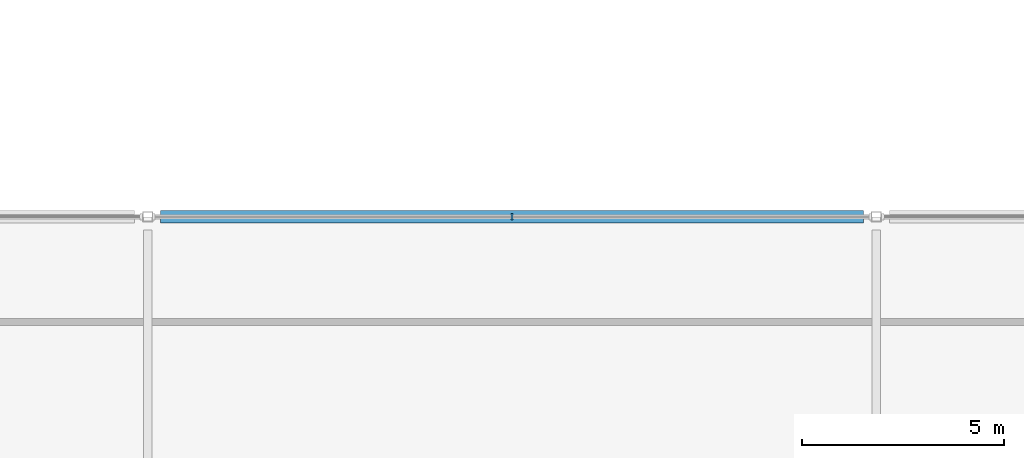
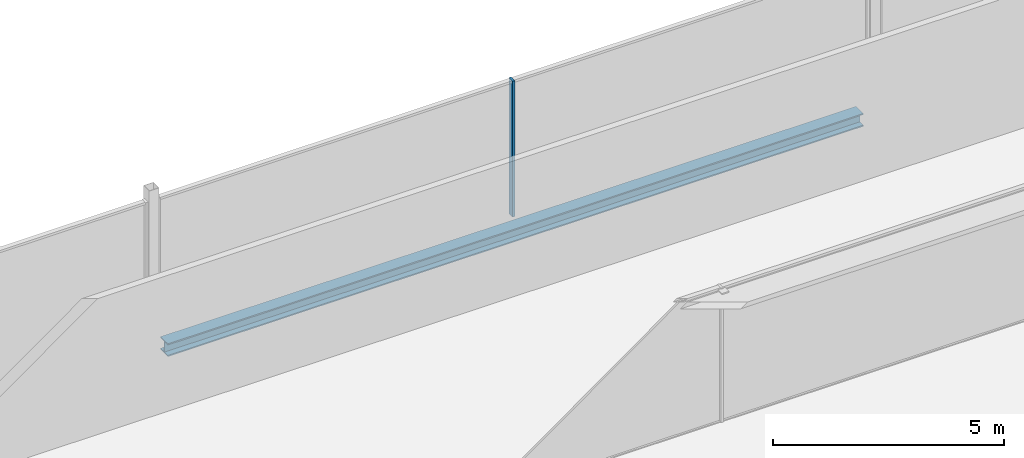
# One storey, part 41 of 105: 1 beam, 1 member, 1 element without a shape of its own.
"""IFC4 building model written with IfcOpenShell, lengths in metres."""

from ifc_helpers import new_model, si_unit, direction, frame, origin, origin_2d, place, context, subcontext, project, spatial, rectangle, i_section, extrude, material, layer, layer_set, material_profile, profile_set, type_object, element, aggregate, save


model = new_model("IFC4")

# Units and contexts
model_context = context("Model", 3, precision=1e-05, world=origin(), true_north=direction((0.0, 1.0)))
body_context = subcontext(model_context, "Body", "Model", "MODEL_VIEW")
ifc_project = project(units=[si_unit("LENGTHUNIT", "METRE"), si_unit("AREAUNIT", "SQUARE_METRE"), si_unit("VOLUMEUNIT", "CUBIC_METRE"), si_unit("PLANEANGLEUNIT", "RADIAN"), si_unit("MASSUNIT", "GRAM", prefix="KILO")], contexts=[model_context])

# Site, building, storey
site_placement = place(None, origin())
site = spatial("IfcSite", under=ifc_project, at=site_placement, CompositionType="ELEMENT")
building_placement = place(site_placement, origin())
building = spatial("IfcBuilding", under=site, at=building_placement, Name="Kisiwana Market Hall", CompositionType="ELEMENT")
storey_placement = place(building_placement, frame((0.0, 0.0, 21.60009765625)))
storey = spatial("IfcBuildingStorey", under=building, at=storey_placement, Name="L04", CompositionType="ELEMENT", Elevation=21.60009765625)

# Beam
ifc_material_1 = material(Name="Steel S355", Category="steel")
ifc_material_profile_1 = material_profile(ifc_material_1, i_section(OverallWidth=0.314453125, OverallDepth=0.33984375, WebThickness=0.01904296875, FlangeThickness=0.031494140625, at=origin_2d()), Name="UC 305x305x198")
ifc_profile_set_1 = profile_set([ifc_material_profile_1], Name="Steel S355")
beam_type = type_object("IfcBeamType", Name="BM-SKYBR-CHORD", PredefinedType="BEAM", material=ifc_profile_set_1)
beam_placement = place(storey_placement, frame((117.321044921875, 102.0, -0.43505859375), z_axis=(1.0, 0.0, 0.0), x_axis=(0.0, 1.0, 0.0)))
element("IfcBeam", 1, at=beam_placement, inside=storey, type_object=beam_type, Name="Floor beam B-1475", PredefinedType="BEAM", context=body_context, shape_type="SweptSolid", body=[
    extrude(i_section(OverallWidth=0.314453125, OverallDepth=0.33984375, WebThickness=0.01904296875, FlangeThickness=0.031494140625, at=origin_2d()), origin(), (0.0, 0.0, 1.0), 17.35791015625),
])

# Curtain wall, member
ifc_material_2 = material(Name="Double-glazed solar-control low-E IGU", Category="glass")
ifc_layer = layer(ifc_material_2, 0.159912109375)
ifc_layer_set = layer_set([ifc_layer], Name="CW-ZNA-EW-8200")
curtain_wall_type = type_object("IfcCurtainWallType", Name="CW-ZNA-EW-8200", PredefinedType="USERDEFINED", material=ifc_layer_set)
curtain_wall_placement = place(storey_placement, origin())
curtain_wall = element("IfcCurtainWall", 2, at=curtain_wall_placement, inside=storey, type_object=curtain_wall_type, Name="Unitised curtain wall CW-114 (L04)", ObjectType="UNITISED CURTAIN WALL", PredefinedType="USERDEFINED")
ifc_material_3 = material(Name="Aluminium alloy 6063-T6", Category="aluminium")
ifc_material_profile_2 = material_profile(ifc_material_3, rectangle(XDim=0.06005859375, YDim=0.159912109375, at=origin_2d()), Name="ALU MULLION 60x160")
ifc_profile_set_2 = profile_set([ifc_material_profile_2], Name="Aluminium alloy 6063-T6")
member_type = type_object("IfcMemberType", Name="CW-MULL-60x160", PredefinedType="MULLION", material=ifc_profile_set_2)
member_placement = place(storey_placement, frame((126.0, 102.0, 0.0), z_axis=(0.0, 0.0, 1.0), x_axis=(1.0, 0.0, 0.0)))
member = element("IfcMember", 3, at=member_placement, type_object=member_type, Name="CW-114 mullion 2", PredefinedType="MULLION", context=body_context, shape_type="SweptSolid", body=[
    extrude(rectangle(XDim=0.06005859375, YDim=0.159912109375, at=origin_2d()), origin(), (0.0, 0.0, 1.0), 3.5849609375),
])
aggregate(curtain_wall, [member])

save(model, "model.ifc")
